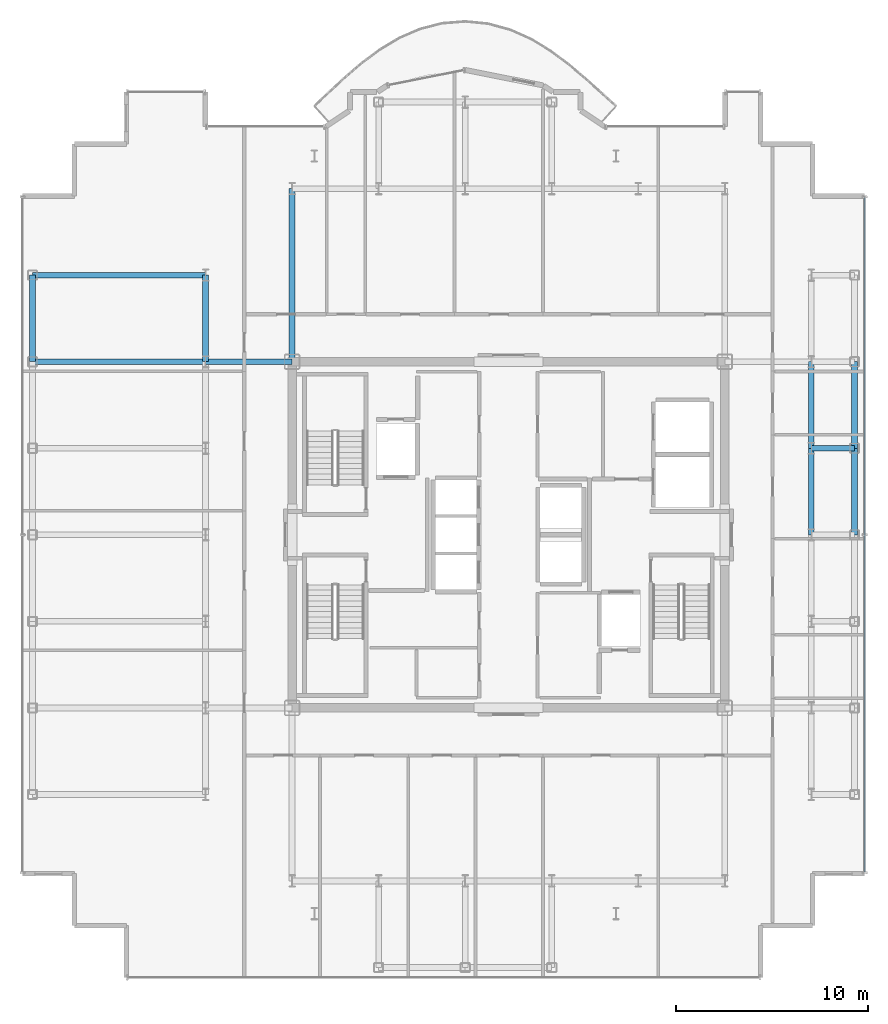
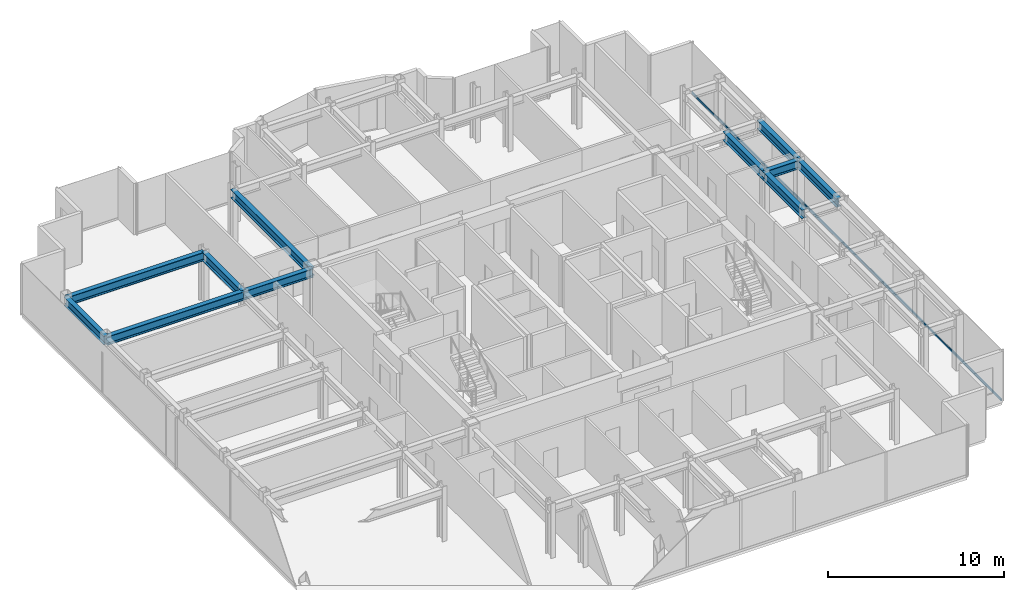
# One storey, part 8 of 18: 11 beams, 1 member, 1 element without a shape of its own.
"""IFC4 building model written with IfcOpenShell, lengths in metres."""

import ifcopenshell
import ifcopenshell.guid

model = None  # the IFC model being written
_history = None  # IfcOwnerHistory: only IFC2X3 demands one
_inside = {}  # id of a spatial element -> (the spatial element, [elements in it])
_under = {}  # id of a project, library or spatial element -> (it, [spatial elements below it])
_declared = {}  # id of a project -> (the project, [libraries it declares])
_typed = {}  # id of a type object -> (the type object, [elements of that type])
_made_of = {}  # id of a material, layer set ... -> (it, [elements and type objects made of it])


def new_model(schema):
    """Start an empty IFC model of exactly this schema.

    Asked for "IFC4X3", IfcOpenShell would pick the latest addendum, in which some entities
    have other attributes; the version numbers below select the first issue.
    IFC2X3 requires an IfcOwnerHistory on every rooted entity: one is made here for all.
    """
    global model, _history
    if schema == "IFC4X3":
        model = ifcopenshell.file(schema_version=(4, 3, 0, 0))
    else:
        model = ifcopenshell.file(schema=schema)
    _inside.clear()
    _under.clear()
    _declared.clear()
    _typed.clear()
    _made_of.clear()
    _history = None
    if model.schema == "IFC2X3":
        org = make("IfcOrganization", Name="unknown")
        user = make(
            "IfcPersonAndOrganization",
            ThePerson=make("IfcPerson", FamilyName="unknown"),
            TheOrganization=org,
        )
        app = make(
            "IfcApplication",
            ApplicationDeveloper=org,
            Version="unknown",
            ApplicationFullName="unknown",
            ApplicationIdentifier="unknown",
        )
        _history = make(
            "IfcOwnerHistory",
            OwningUser=user,
            OwningApplication=app,
            ChangeAction="ADDED",
            CreationDate=0,
        )
    return model


def make(cls, **values):
    """One entity of the class cls with the attributes given. An attribute that is None is left unset."""
    return model.create_entity(
        cls, **{name: value for name, value in values.items() if value is not None}
    )


def rooted(cls, **values):
    """An entity with a GlobalId (a new one), such as an element, a storey or a relation."""
    return make(cls, GlobalId=ifcopenshell.guid.new(), OwnerHistory=_history, **values)


def si_unit(unit_type, name, prefix=None):
    """IfcSIUnit, for example si_unit("LENGTHUNIT", "METRE", prefix="MILLI")."""
    return make("IfcSIUnit", UnitType=unit_type, Prefix=prefix, Name=name)


def assignment(units):
    """IfcUnitAssignment: the units of a project."""
    return None if units is None else make("IfcUnitAssignment", Units=units)


def point(xyz):
    """IfcCartesianPoint."""
    return None if xyz is None else make("IfcCartesianPoint", Coordinates=xyz)


def direction(xyz):
    """IfcDirection."""
    return None if xyz is None else make("IfcDirection", DirectionRatios=xyz)


def frame(location, z_axis=None, x_axis=None):
    """IfcAxis2Placement3D, a coordinate frame: its origin and axes. An axis left out is left unset."""
    return make(
        "IfcAxis2Placement3D",
        Location=point(location),
        Axis=direction(z_axis),
        RefDirection=direction(x_axis),
    )


def frame_2d(location, x_axis=None):
    """IfcAxis2Placement2D, a coordinate frame in the plane: its origin and x axis."""
    return make(
        "IfcAxis2Placement2D", Location=point(location), RefDirection=direction(x_axis)
    )


def origin():
    """The frame at (0, 0, 0) with its axes left unset."""
    return frame((0.0, 0.0, 0.0))


def origin_2d():
    """The frame at (0, 0) in the plane with its x axis left unset."""
    return frame_2d((0.0, 0.0))


def place(relative_to, where):
    """IfcLocalPlacement: puts the frame where relative to a parent placement (None: the world)."""
    return make(
        "IfcLocalPlacement", PlacementRelTo=relative_to, RelativePlacement=where
    )


def context(
    kind, dimensions, precision=None, world=None, true_north=None, identifier=None
):
    """IfcGeometricRepresentationContext, for example the 3D "Model" context."""
    return make(
        "IfcGeometricRepresentationContext",
        ContextIdentifier=identifier,
        ContextType=kind,
        CoordinateSpaceDimension=dimensions,
        Precision=precision,
        WorldCoordinateSystem=world,
        TrueNorth=true_north,
    )


def subcontext(parent, identifier, kind, view, scale=None):
    """IfcGeometricRepresentationSubContext, for example "Body" below "Model"."""
    return make(
        "IfcGeometricRepresentationSubContext",
        ContextIdentifier=identifier,
        ContextType=kind,
        ParentContext=parent,
        TargetScale=scale,
        TargetView=view,
    )


def project(units=None, contexts=None):
    """IfcProject with its units and contexts."""
    return rooted(
        "IfcProject",
        Name="project",
        RepresentationContexts=contexts,
        UnitsInContext=assignment(units),
    )


def spatial(cls, under=None, at=None, **own):
    """A site, building, storey or space (cls), placed at a placement, below another one or the project."""
    s = rooted(cls, ObjectPlacement=at, **own)
    if under is not None:
        _under.setdefault(under.id(), (under, []))[1].append(s)
    return s


def profile(cls, at=None, kind="AREA", **sizes):
    """A parametric profile (cls). Its sizes go by their IFC names, for example OverallWidth=200.0."""
    return make(cls, ProfileType=kind, Position=at, **sizes)


def hollow_rectangle(**sizes):
    """IfcRectangleHollowProfileDef."""
    return profile("IfcRectangleHollowProfileDef", **sizes)


def i_section(**sizes):
    """IfcIShapeProfileDef."""
    return profile("IfcIShapeProfileDef", **sizes)


def extrude(swept, where, along, depth):
    """IfcExtrudedAreaSolid: the profile swept, set in the frame where, extruded along a direction by depth."""
    return make(
        "IfcExtrudedAreaSolid",
        SweptArea=swept,
        Position=where,
        ExtrudedDirection=direction(along),
        Depth=depth,
    )


def shape(context_of_items, identifier, shape_type, items):
    """IfcShapeRepresentation: the items that make up one representation, for example the "Body"."""
    return make(
        "IfcShapeRepresentation",
        ContextOfItems=context_of_items,
        RepresentationIdentifier=identifier,
        RepresentationType=shape_type,
        Items=items,
    )


def source(mapping_origin, context_of_items, identifier, shape_type, items):
    """IfcRepresentationMap: a shape defined once, which mapped items show again and again."""
    return make(
        "IfcRepresentationMap",
        MappingOrigin=mapping_origin,
        MappedRepresentation=shape(context_of_items, identifier, shape_type, items),
    )


def transform(
    local_origin,
    x_axis=None,
    y_axis=None,
    z_axis=None,
    scale=None,
    scale2=None,
    scale3=None,
    uniform=True,
):
    """IfcCartesianTransformationOperator3D, or its non-uniform kind. x_axis, y_axis, z_axis: its Axis1, 2, 3."""
    if uniform:
        return make(
            "IfcCartesianTransformationOperator3D",
            Axis1=direction(x_axis),
            Axis2=direction(y_axis),
            LocalOrigin=point(local_origin),
            Scale=scale,
            Axis3=direction(z_axis),
        )
    return make(
        "IfcCartesianTransformationOperator3DnonUniform",
        Axis1=direction(x_axis),
        Axis2=direction(y_axis),
        LocalOrigin=point(local_origin),
        Scale=scale,
        Axis3=direction(z_axis),
        Scale2=scale2,
        Scale3=scale3,
    )


def mapped(mapping_source, mapping_target):
    """IfcMappedItem: shows the shape of a source again, moved by a transform."""
    return make(
        "IfcMappedItem", MappingSource=mapping_source, MappingTarget=mapping_target
    )


def material(Name=None, Category=None):
    """IfcMaterial."""
    return make("IfcMaterial", Name=Name, Category=Category)


def layer(
    of_material, thickness, ventilated=None, Name=None, Category=None, Priority=None
):
    """IfcMaterialLayer: one layer of a wall or slab, of a material (None: an air gap)."""
    return make(
        "IfcMaterialLayer",
        Material=of_material,
        LayerThickness=thickness,
        IsVentilated=ventilated,
        Name=Name,
        Category=Category,
        Priority=Priority,
    )


def layer_set(layers, Name=None):
    """IfcMaterialLayerSet."""
    return make("IfcMaterialLayerSet", MaterialLayers=layers, LayerSetName=Name)


def material_profile(
    of_material, cross_section, Name=None, Category=None, Priority=None
):
    """IfcMaterialProfile: a cross section and its material."""
    return make(
        "IfcMaterialProfile",
        Name=Name,
        Material=of_material,
        Profile=cross_section,
        Priority=Priority,
        Category=Category,
    )


def profile_set(profiles, Name=None, composite=None):
    """IfcMaterialProfileSet."""
    return make(
        "IfcMaterialProfileSet",
        Name=Name,
        MaterialProfiles=profiles,
        CompositeProfile=composite,
    )


def made_of(thing, what):
    """Note that an element or type object is made of a material, layer set ...; save() writes the relation."""
    if what is not None:
        _made_of.setdefault(what.id(), (what, []))[1].append(thing)
    return thing


def type_object(cls, material=None, **own):
    """A type object (cls), such as IfcWallType, which elements share."""
    return made_of(rooted(cls, **own), material)


def element(
    cls,
    number,
    at=None,
    inside=None,
    cuts=None,
    type_object=None,
    material=None,
    context=None,
    identifier="Body",
    shape_type=None,
    held_by="IfcProductDefinitionShape",
    body=None,
    shapes=None,
    **own,
):
    """One element of the class cls, such as IfcWall. Its Tag is "e" and its number.

    at: its placement. inside: the storey or other place that contains it. cuts: it is an
    opening in that element (IfcRelVoidsElement). A single representation is given by context,
    identifier, shape_type and body (its items); several are given by shapes. held_by: the class
    of the entity that holds the representations. save() writes the other relations.
    """
    e = rooted(cls, Tag="e%d" % number, ObjectPlacement=at, **own)
    if body is not None:
        shapes = [shape(context, identifier, shape_type, body)]
    if shapes is not None:
        e.Representation = make(held_by, Representations=shapes)
    if inside is not None:
        _inside.setdefault(inside.id(), (inside, []))[1].append(e)
    if cuts is not None:
        rooted(
            "IfcRelVoidsElement", RelatingBuildingElement=cuts, RelatedOpeningElement=e
        )
    if type_object is not None:
        _typed.setdefault(type_object.id(), (type_object, []))[1].append(e)
    return made_of(e, material)


def aggregate(whole, parts):
    """IfcRelAggregates: a whole, such as a stair, and the parts it consists of."""
    return rooted("IfcRelAggregates", RelatingObject=whole, RelatedObjects=parts)


def save(model, path):
    """Write the relations noted so far, then the file.

    IfcRelAggregates (storeys below a building ...), IfcRelContainedInSpatialStructure (elements
    in a storey), IfcRelDefinesByType, IfcRelAssociatesMaterial and IfcRelDeclares: one each for
    every whole, place, type object, material and project.
    """
    for whole, parts in _under.values():
        aggregate(whole, parts)
    for where, things in _inside.values():
        rooted(
            "IfcRelContainedInSpatialStructure",
            RelatedElements=things,
            RelatingStructure=where,
        )
    for kind, things in _typed.values():
        rooted("IfcRelDefinesByType", RelatedObjects=things, RelatingType=kind)
    for what, things in _made_of.values():
        rooted("IfcRelAssociatesMaterial", RelatedObjects=things, RelatingMaterial=what)
    for by, libraries in _declared.values():
        rooted("IfcRelDeclares", RelatingContext=by, RelatedDefinitions=libraries)
    model.write(path)


model = new_model("IFC4")

# Units and contexts
model_context = context("Model", 3, precision=1e-05, world=origin(), true_north=direction((0.0, 1.0)))
body_context = subcontext(model_context, "Body", "Model", "MODEL_VIEW")
ifc_project = project(units=[si_unit("LENGTHUNIT", "METRE"), si_unit("AREAUNIT", "SQUARE_METRE"), si_unit("VOLUMEUNIT", "CUBIC_METRE"), si_unit("PLANEANGLEUNIT", "RADIAN"), si_unit("MASSUNIT", "GRAM", prefix="KILO")], contexts=[model_context])

# Site, building, storey
site_placement = place(None, origin())
site = spatial("IfcSite", under=ifc_project, at=site_placement, CompositionType="ELEMENT")
building_placement = place(site_placement, origin())
building = spatial("IfcBuilding", under=site, at=building_placement, Name="Nefas-Gora Pilgrimage Tower", CompositionType="ELEMENT")
storey_placement = place(building_placement, frame((0.0, 0.0, 291.199951171875)))
storey = spatial("IfcBuildingStorey", under=building, at=storey_placement, Name="L73", CompositionType="ELEMENT", Elevation=291.199951171875)

# Beams
ifc_material_1 = material(Name="Steel S355", Category="steel")
ifc_material_profile_1 = material_profile(ifc_material_1, i_section(OverallWidth=0.300048828125, OverallDepth=0.60009765625, WebThickness=0.015380859375, FlangeThickness=0.030029296875, FilletRadius=0.027099609375, at=origin_2d()), Name="HEB 600")
ifc_profile_set_1 = profile_set([ifc_material_profile_1], Name="Steel S355")
beam_type_1 = type_object("IfcBeamType", Name="BM-SPN-HEB450", PredefinedType="SPANDREL", material=ifc_profile_set_1)
shared_shape_1 = source(origin(), body_context, "Body", "SweptSolid", [
    extrude(i_section(OverallWidth=0.300048828125, OverallDepth=0.60009765625, WebThickness=0.015380859375, FlangeThickness=0.030029296875, FilletRadius=0.027099609375, at=origin_2d()), origin(), (0.0, 0.0, 1.0), 4.5),
])
for number, where, z_axis, x_axis, name in (
    (1, (-24.75, 9.0, 3.25), (0.0, 1.0, 0.0), (-1.0, 0.0, 0.0), "L73 SP-03 beam"),
    (2, (18.0, 0.0, 3.25), (0.0, 1.0, 0.0), (-1.0, 0.0, 0.0), "L73 SP-03 beam"),
    (3, (18.0, 4.5, 3.25), (0.0, 1.0, 0.0), (-1.0, 0.0, 0.0), "L73 SP-03 beam"),
):
    element("IfcBeam", number, at=place(storey_placement, frame(where, z_axis=z_axis, x_axis=x_axis)), inside=storey, type_object=beam_type_1, Name=name, PredefinedType="SPANDREL", context=body_context, shape_type="MappedRepresentation", body=[
        mapped(shared_shape_1, transform((0.0, 0.0, 0.0), x_axis=(1.0, 0.0, 0.0), y_axis=(0.0, 1.0, 0.0), z_axis=(0.0, 0.0, 1.0), scale=1.0)),
    ])
ifc_material_profile_2 = material_profile(ifc_material_1, i_section(OverallWidth=0.300048828125, OverallDepth=0.60009765625, WebThickness=0.015380859375, FlangeThickness=0.030029296875, FilletRadius=0.027099609375, at=origin_2d()), Name="HEB 600")
ifc_profile_set_2 = profile_set([ifc_material_profile_2], Name="Steel S355")
beam_type_2 = type_object("IfcBeamType", Name="BM-GIR-HEB600", PredefinedType="BEAM", material=ifc_profile_set_2)
shared_shape_2 = source(origin(), body_context, "Body", "SweptSolid", [
    extrude(i_section(OverallWidth=0.300048828125, OverallDepth=0.60009765625, WebThickness=0.015380859375, FlangeThickness=0.030029296875, FilletRadius=0.027099609375, at=origin_2d()), origin(), (0.0, 0.0, 1.0), 9.0),
])
for number, where, z_axis, x_axis, name in (
    (4, (-24.75, 9.0, 3.25), (1.0, 0.0, 0.0), (0.0, 1.0, 0.0), "L73 G-04 beam"),
    (5, (-24.75, 13.5, 3.25), (1.0, 0.0, 0.0), (0.0, 1.0, 0.0), "L73 G-04 beam"),
    (6, (-11.25, 9.0, 3.25), (0.0, 1.0, 0.0), (-1.0, 0.0, 0.0), "L73 G-04 beam"),
):
    element("IfcBeam", number, at=place(storey_placement, frame(where, z_axis=z_axis, x_axis=x_axis)), inside=storey, type_object=beam_type_2, Name=name, PredefinedType="BEAM", context=body_context, shape_type="MappedRepresentation", body=[
        mapped(shared_shape_2, transform((0.0, 0.0, 0.0), x_axis=(1.0, 0.0, 0.0), y_axis=(0.0, 1.0, 0.0), z_axis=(0.0, 0.0, 1.0), scale=1.0)),
    ])
shared_shape_3 = source(origin(), body_context, "Body", "SweptSolid", [
    extrude(i_section(OverallWidth=0.300048828125, OverallDepth=0.60009765625, WebThickness=0.015380859375, FlangeThickness=0.030029296875, FilletRadius=0.027099609375, at=origin_2d()), origin(), (0.0, 0.0, 1.0), 4.5),
])
for number, where, z_axis, x_axis, name in (
    (7, (-15.75, 9.0, 3.25), (0.0, 1.0, 0.0), (-1.0, 0.0, 0.0), "L73 G-04 beam"),
    (8, (-15.75, 9.0, 3.25), (1.0, 0.0, 0.0), (0.0, 1.0, 0.0), "L73 G-04 beam"),
    (9, (15.75, 0.0, 3.25), (0.0, 1.0, 0.0), (-1.0, 0.0, 0.0), "L73 G-04 beam"),
    (10, (15.75, 4.5, 3.25), (0.0, 1.0, 0.0), (-1.0, 0.0, 0.0), "L73 G-04 beam"),
):
    element("IfcBeam", number, at=place(storey_placement, frame(where, z_axis=z_axis, x_axis=x_axis)), inside=storey, type_object=beam_type_2, Name=name, PredefinedType="BEAM", context=body_context, shape_type="MappedRepresentation", body=[
        mapped(shared_shape_3, transform((0.0, 0.0, 0.0), x_axis=(1.0, 0.0, 0.0), y_axis=(0.0, 1.0, 0.0), z_axis=(0.0, 0.0, 1.0), scale=1.0)),
    ])
shared_shape_4 = source(origin(), body_context, "Body", "SweptSolid", [
    extrude(i_section(OverallWidth=0.300048828125, OverallDepth=0.60009765625, WebThickness=0.015380859375, FlangeThickness=0.030029296875, FilletRadius=0.027099609375, at=origin_2d()), origin(), (0.0, 0.0, 1.0), 2.25),
])
beam_placement = place(storey_placement, frame((15.75, 4.5, 3.25), z_axis=(1.0, 0.0, 0.0), x_axis=(0.0, 1.0, 0.0)))
element("IfcBeam", 11, at=beam_placement, inside=storey, type_object=beam_type_2, Name="L73 G-04 beam", PredefinedType="BEAM", context=body_context, shape_type="MappedRepresentation", body=[
    mapped(shared_shape_4, transform((0.0, 0.0, 0.0), x_axis=(1.0, 0.0, 0.0), y_axis=(0.0, 1.0, 0.0), z_axis=(0.0, 0.0, 1.0), scale=1.0)),
])

# Curtain wall, member
ifc_material_2 = material(Name="Dark ceramic-fritted solar-control aluminium-glass curtain wall", Category="aluminium")
ifc_layer = layer(ifc_material_2, 0.219970703125)
ifc_layer_set = layer_set([ifc_layer], Name="Dark ceramic-fritted solar-control aluminium-glass curtain wall")
curtain_wall_type = type_object("IfcCurtainWallType", Name="CW-SYS-4", PredefinedType="NOTDEFINED", material=ifc_layer_set)
curtain_wall_placement = place(storey_placement, origin())
curtain_wall = element("IfcCurtainWall", 12, at=curtain_wall_placement, inside=storey, type_object=curtain_wall_type, Name="L73 Unitised Curtain Wall CW4", PredefinedType="NOTDEFINED")
ifc_material_3 = material(Name="Anodised architectural aluminium", Category="aluminium")
ifc_material_profile_3 = material_profile(ifc_material_3, hollow_rectangle(XDim=0.080078125, YDim=0.159912109375, WallThickness=0.00439453125, InnerFilletRadius=0.00439453125, OuterFilletRadius=0.009033203125, at=origin_2d()), Name="ALU TRANSOM 80x160")
ifc_profile_set_3 = profile_set([ifc_material_profile_3], Name="Anodised architectural aluminium")
member_type = type_object("IfcMemberType", Name="CWM-TRN-4", PredefinedType="USERDEFINED", material=ifc_profile_set_3)
shared_shape_5 = source(origin(), body_context, "Body", "SweptSolid", [
    extrude(hollow_rectangle(XDim=0.080078125, YDim=0.159912109375, WallThickness=0.00439453125, InnerFilletRadius=0.00439453125, OuterFilletRadius=0.009033203125, at=origin_2d()), origin(), (0.0, 0.0, 1.0), 35.06005859375),
])
member_placement = place(storey_placement, frame((18.52001953125, -17.530029296875, 0.050048828125), z_axis=(0.0, 1.0, 0.0), x_axis=(-1.0, 0.0, 0.0)))
member = element("IfcMember", 13, at=member_placement, type_object=member_type, Name="CW4 Spandrel Transom", ObjectType="TRANSOM", PredefinedType="USERDEFINED", context=body_context, shape_type="MappedRepresentation", body=[
    mapped(shared_shape_5, transform((0.0, 0.0, 0.0), x_axis=(1.0, 0.0, 0.0), y_axis=(0.0, 1.0, 0.0), z_axis=(0.0, 0.0, 1.0), scale=1.0)),
])
aggregate(curtain_wall, [member])

save(model, "model.ifc")
